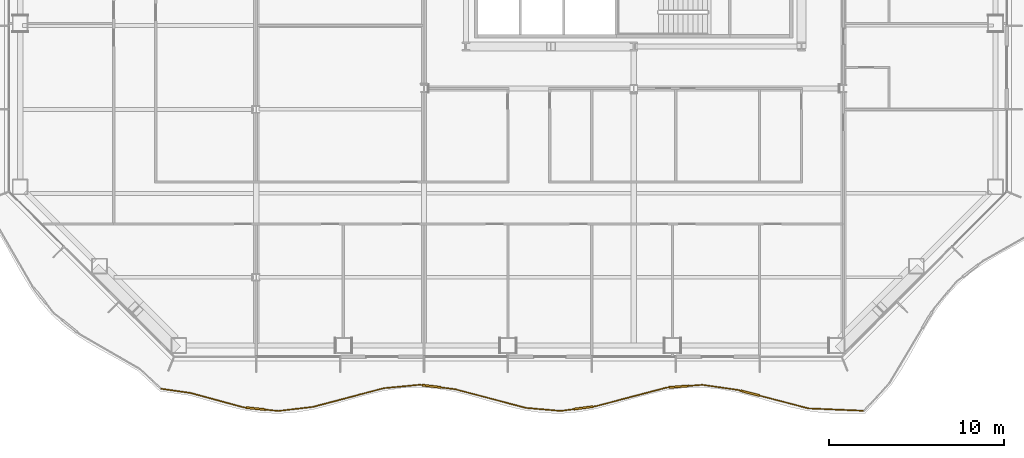
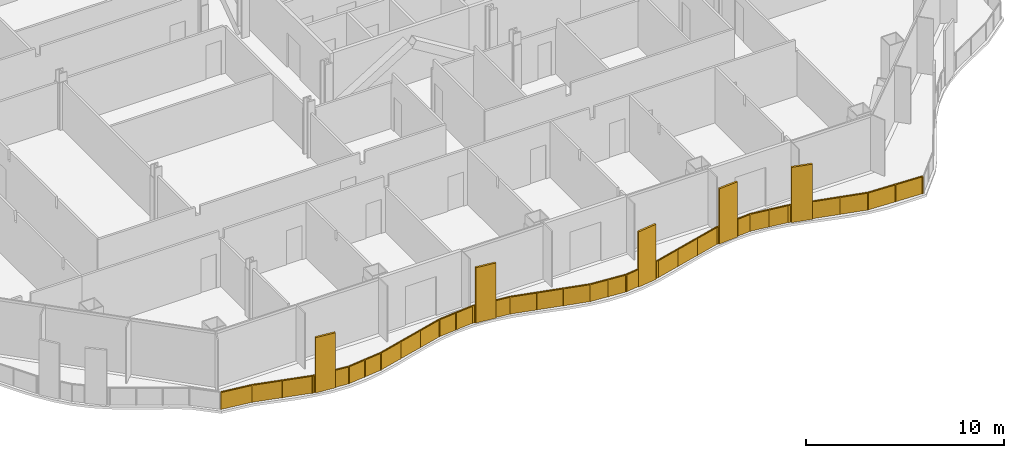
# One storey, part 16 of 21: 1 railing.
"""IFC4 building model written with IfcOpenShell, lengths in metres."""

from ifc_helpers import new_model, si_unit, direction, frame, origin, origin_2d, place, context, subcontext, project, spatial, polyline, rectangle, outline, extrude, material, type_object, element, save


model = new_model("IFC4")

# Units and contexts
model_context = context("Model", 3, precision=1e-05, world=origin(), true_north=direction((0.0, 1.0)))
body_context = subcontext(model_context, "Body", "Model", "MODEL_VIEW")
ifc_project = project(units=[si_unit("LENGTHUNIT", "METRE"), si_unit("AREAUNIT", "SQUARE_METRE"), si_unit("VOLUMEUNIT", "CUBIC_METRE"), si_unit("PLANEANGLEUNIT", "RADIAN"), si_unit("MASSUNIT", "GRAM", prefix="KILO")], contexts=[model_context])

# Site, building, storey
site_placement = place(None, origin())
site = spatial("IfcSite", under=ifc_project, at=site_placement, CompositionType="ELEMENT")
building_placement = place(site_placement, origin())
building = spatial("IfcBuilding", under=site, at=building_placement, Name="Cairn Pilgrim Tower", CompositionType="ELEMENT")
storey_placement = place(building_placement, frame((0.0, 0.0, 69.0)))
storey = spatial("IfcBuildingStorey", under=building, at=storey_placement, Name="L15", CompositionType="ELEMENT", Elevation=69.0)

# Railing
ifc_material = material(Name="Bronze anodised aluminium rail, posts and fin screens with laminated glass infill", Category="aluminium")
railing_type = type_object("IfcRailingType", Name="BALCONY GUARD WITH FIN SCREENS", PredefinedType="GUARDRAIL", material=ifc_material)
railing_placement = place(storey_placement, frame((-19.844482421875, -25.577880859375, 0.0)))
element("IfcRailing", 1, at=railing_placement, inside=storey, type_object=railing_type, Name="Balcony guard BGF-1 with fin screens", PredefinedType="GUARDRAIL", context=body_context, shape_type="SweptSolid", body=[
    extrude(rectangle(XDim=0.050048828125, YDim=0.050048828125, at=origin_2d()), frame((0.0, 0.0, 1.0751953125), z_axis=(0.989952361638, -0.141401278948, 0.0), x_axis=(0.141401278948, 0.989952361638, 0.0)), (0.0, 0.0, 1.0), 1.702392578125),
    extrude(rectangle(XDim=0.050048828125, YDim=0.050048828125, at=origin_2d()), frame((1.685302734375, -0.24072265625, 1.0751953125), z_axis=(0.965048678895, -0.262070691536, 0.0), x_axis=(0.262070691536, 0.965048678895, 0.0)), (0.0, 0.0, 1.0), 3.138427734375),
    extrude(rectangle(XDim=1.10009765625, YDim=0.110107421875, at=origin_2d()), frame((5.410400390625, -1.1357421875, 0.0), z_axis=(0.0, 0.0, 1.0), x_axis=(0.994607152388, -0.103714089778, 0.0)), (0.0, 0.0, 1.0), 3.39990234375),
    extrude(rectangle(XDim=0.050048828125, YDim=0.050048828125, at=origin_2d()), frame((4.714111328125, -1.063232421875, 1.0751953125), z_axis=(0.994607152388, -0.103714089778, 0.0), x_axis=(0.103714089778, 0.994607152388, 0.0)), (0.0, 0.0, 1.0), 0.14990234375),
    extrude(rectangle(XDim=0.050048828125, YDim=0.050048828125, at=origin_2d()), frame((5.957275390625, -1.19287109375, 1.0751953125), z_axis=(0.994607152388, -0.103714089778, 0.0), x_axis=(0.103714089778, 0.994607152388, 0.0)), (0.0, 0.0, 1.0), 0.753173828125),
    extrude(rectangle(XDim=0.050048828125, YDim=0.050048828125, at=origin_2d()), frame((6.70654296875, -1.27099609375, 1.0751953125), z_axis=(0.99317796676, 0.1166084317, 0.0), x_axis=(-0.1166084317, 0.99317796676, 0.0)), (0.0, 0.0, 1.0), 2.0078125),
    extrude(rectangle(XDim=0.050048828125, YDim=0.050048828125, at=origin_2d()), frame((8.70068359375, -1.036865234375, 1.0751953125), z_axis=(0.966796474004, 0.255547603888, 0.0), x_axis=(-0.255547603888, 0.966796474004, 0.0)), (0.0, 0.0, 1.0), 4.1826171875),
    extrude(rectangle(XDim=0.050048828125, YDim=0.050048828125, at=origin_2d()), frame((12.744384765625, 0.031982421875, 1.0751953125), z_axis=(0.995480005826, 0.094971353581, 0.0), x_axis=(-0.094971353581, 0.995480005826, 0.0)), (0.0, 0.0, 1.0), 2.05908203125),
    extrude(rectangle(XDim=1.10009765625, YDim=0.110107421875, at=origin_2d()), frame((15.488525390625, 0.14013671875, 0.0), z_axis=(0.0, 0.0, 1.0), x_axis=(0.992149942134, -0.125053957648, 0.0)), (0.0, 0.0, 1.0), 3.39990234375),
    extrude(rectangle(XDim=0.050048828125, YDim=0.050048828125, at=origin_2d()), frame((14.794189453125, 0.2275390625, 1.0751953125), z_axis=(0.992149942134, -0.125053957648, 0.0), x_axis=(0.125053957648, 0.992149942134, 0.0)), (0.0, 0.0, 1.0), 0.14990234375),
    extrude(rectangle(XDim=0.050048828125, YDim=0.050048828125, at=origin_2d()), frame((16.0341796875, 0.0712890625, 1.0751953125), z_axis=(0.992149942134, -0.125053957648, 0.0), x_axis=(0.125053957648, 0.992149942134, 0.0)), (0.0, 0.0, 1.0), 0.813720703125),
    extrude(rectangle(XDim=0.050048828125, YDim=0.050048828125, at=origin_2d()), frame((16.841552734375, -0.030517578125, 1.0751953125), z_axis=(0.966915375466, -0.255097347471, 0.0), x_axis=(0.255097347471, 0.966915375466, 0.0)), (0.0, 0.0, 1.0), 4.177490234375),
    extrude(rectangle(XDim=0.050048828125, YDim=0.050048828125, at=origin_2d()), frame((20.880859375, -1.09619140625, 1.0751953125), z_axis=(0.996297197599, -0.085976124922, 0.0), x_axis=(0.085976124922, 0.996297197599, 0.0)), (0.0, 0.0, 1.0), 1.9990234375),
    extrude(rectangle(XDim=1.10009765625, YDim=0.110107421875, at=origin_2d()), frame((24.174072265625, -1.09326171875, 0.0), z_axis=(0.0, 0.0, 1.0), x_axis=(0.99109608541, 0.133148599263, 0.0)), (0.0, 0.0, 1.0), 3.39990234375),
    extrude(rectangle(XDim=0.050048828125, YDim=0.050048828125, at=origin_2d()), frame((22.87255859375, -1.26806640625, 1.0751953125), z_axis=(0.99109608541, 0.133148599263, 0.0), x_axis=(-0.133148599263, 0.99109608541, 0.0)), (0.0, 0.0, 1.0), 0.76318359375),
    extrude(rectangle(XDim=0.050048828125, YDim=0.050048828125, at=origin_2d()), frame((24.71923828125, -1.02001953125, 1.0751953125), z_axis=(0.99109608541, 0.133148599263, 0.0), x_axis=(-0.133148599263, 0.99109608541, 0.0)), (0.0, 0.0, 1.0), 0.150146484375),
    extrude(rectangle(XDim=0.050048828125, YDim=0.050048828125, at=origin_2d()), frame((24.867919921875, -1.0, 1.0751953125), z_axis=(0.967093431473, 0.25442149045, 0.0), x_axis=(-0.25442149045, 0.967093431473, 0.0)), (0.0, 0.0, 1.0), 4.183837890625),
    extrude(rectangle(XDim=1.10009765625, YDim=0.110107421875, at=origin_2d()), frame((29.612060546875, 0.118408203125, 0.0), z_axis=(0.0, 0.0, 1.0), x_axis=(0.997029299771, 0.077023213374, 0.0)), (0.0, 0.0, 1.0), 3.39990234375),
    extrude(rectangle(XDim=0.050048828125, YDim=0.050048828125, at=origin_2d()), frame((28.9140625, 0.064453125, 1.0751953125), z_axis=(0.997029299771, 0.077023213374, 0.0), x_axis=(-0.077023213374, 0.997029299771, 0.0)), (0.0, 0.0, 1.0), 0.150146484375),
    extrude(rectangle(XDim=0.050048828125, YDim=0.050048828125, at=origin_2d()), frame((30.160400390625, 0.16064453125, 1.0751953125), z_axis=(0.997029299771, 0.077023213374, 0.0), x_axis=(-0.077023213374, 0.997029299771, 0.0)), (0.0, 0.0, 1.0), 0.80712890625),
    extrude(rectangle(XDim=0.050048828125, YDim=0.050048828125, at=origin_2d()), frame((30.965087890625, 0.222900390625, 1.0751953125), z_axis=(0.989968386364, -0.141289044164, 0.0), x_axis=(0.141289044164, 0.989968386364, 0.0)), (0.0, 0.0, 1.0), 2.066650390625),
    extrude(rectangle(XDim=1.10009765625, YDim=0.110107421875, at=origin_2d()), frame((33.7001953125, -0.24951171875, 0.0), z_axis=(0.0, 0.0, 1.0), x_axis=(0.967365050056, -0.253386779312, 0.0)), (0.0, 0.0, 1.0), 3.39990234375),
    extrude(rectangle(XDim=0.050048828125, YDim=0.050048828125, at=origin_2d()), frame((33.010986328125, -0.069091796875, 1.0751953125), z_axis=(0.967365050056, -0.253386779312, 0.0), x_axis=(0.253386779312, 0.967365050056, 0.0)), (0.0, 0.0, 1.0), 0.162353515625),
    extrude(rectangle(XDim=0.050048828125, YDim=0.050048828125, at=origin_2d()), frame((34.232177734375, -0.388916015625, 1.0751953125), z_axis=(0.967365050056, -0.253386779312, 0.0), x_axis=(0.253386779312, 0.967365050056, 0.0)), (0.0, 0.0, 1.0), 2.908447265625),
    extrude(rectangle(XDim=0.050048828125, YDim=0.050048828125, at=origin_2d()), frame((37.0458984375, -1.1259765625, 1.0751953125), z_axis=(0.999108327375, -0.042220257817, 0.0), x_axis=(0.042220257817, 0.999108327375, 0.0)), (0.0, 0.0, 1.0), 3.11669921875),
    extrude(rectangle(XDim=0.050048828125, YDim=0.050048828125, at=origin_2d()), origin(), (0.0, 0.0, 1.0), 1.050048828125),
    extrude(rectangle(XDim=0.050048828125, YDim=0.050048828125, at=origin_2d()), frame((1.685302734375, -0.24072265625, 0.0)), (0.0, 0.0, 1.0), 1.050048828125),
    extrude(rectangle(XDim=0.050048828125, YDim=0.050048828125, at=origin_2d()), frame((3.19970703125, -0.65185546875, 0.0)), (0.0, 0.0, 1.0), 1.050048828125),
    extrude(rectangle(XDim=0.050048828125, YDim=0.050048828125, at=origin_2d()), frame((4.714111328125, -1.063232421875, 0.0)), (0.0, 0.0, 1.0), 1.050048828125),
    extrude(rectangle(XDim=0.050048828125, YDim=0.050048828125, at=origin_2d()), frame((4.83837890625, -1.076171875, 0.0)), (0.0, 0.0, 1.0), 1.050048828125),
    extrude(rectangle(XDim=0.050048828125, YDim=0.050048828125, at=origin_2d()), frame((5.982177734375, -1.195556640625, 0.0)), (0.0, 0.0, 1.0), 1.050048828125),
    extrude(rectangle(XDim=0.050048828125, YDim=0.050048828125, at=origin_2d()), frame((6.70654296875, -1.27099609375, 0.0)), (0.0, 0.0, 1.0), 1.050048828125),
    extrude(rectangle(XDim=0.050048828125, YDim=0.050048828125, at=origin_2d()), frame((7.70361328125, -1.15380859375, 0.0)), (0.0, 0.0, 1.0), 1.050048828125),
    extrude(rectangle(XDim=0.050048828125, YDim=0.050048828125, at=origin_2d()), frame((8.70068359375, -1.036865234375, 0.0)), (0.0, 0.0, 1.0), 1.050048828125),
    extrude(rectangle(XDim=0.050048828125, YDim=0.050048828125, at=origin_2d()), frame((10.048583984375, -0.6806640625, 0.0)), (0.0, 0.0, 1.0), 1.050048828125),
    extrude(rectangle(XDim=0.050048828125, YDim=0.050048828125, at=origin_2d()), frame((11.396484375, -0.32421875, 0.0)), (0.0, 0.0, 1.0), 1.050048828125),
    extrude(rectangle(XDim=0.050048828125, YDim=0.050048828125, at=origin_2d()), frame((12.744384765625, 0.031982421875, 0.0)), (0.0, 0.0, 1.0), 1.050048828125),
    extrude(rectangle(XDim=0.050048828125, YDim=0.050048828125, at=origin_2d()), frame((13.769287109375, 0.1298828125, 0.0)), (0.0, 0.0, 1.0), 1.050048828125),
    extrude(rectangle(XDim=0.050048828125, YDim=0.050048828125, at=origin_2d()), frame((14.794189453125, 0.2275390625, 0.0)), (0.0, 0.0, 1.0), 1.050048828125),
    extrude(rectangle(XDim=0.050048828125, YDim=0.050048828125, at=origin_2d()), frame((14.91796875, 0.2119140625, 0.0)), (0.0, 0.0, 1.0), 1.050048828125),
    extrude(rectangle(XDim=0.050048828125, YDim=0.050048828125, at=origin_2d()), frame((16.05908203125, 0.068115234375, 0.0)), (0.0, 0.0, 1.0), 1.050048828125),
    extrude(rectangle(XDim=0.050048828125, YDim=0.050048828125, at=origin_2d()), frame((16.841552734375, -0.030517578125, 0.0)), (0.0, 0.0, 1.0), 1.050048828125),
    extrude(rectangle(XDim=0.050048828125, YDim=0.050048828125, at=origin_2d()), frame((18.18798828125, -0.3857421875, 0.0)), (0.0, 0.0, 1.0), 1.050048828125),
    extrude(rectangle(XDim=0.050048828125, YDim=0.050048828125, at=origin_2d()), frame((19.534423828125, -0.740966796875, 0.0)), (0.0, 0.0, 1.0), 1.050048828125),
    extrude(rectangle(XDim=0.050048828125, YDim=0.050048828125, at=origin_2d()), frame((20.880859375, -1.09619140625, 0.0)), (0.0, 0.0, 1.0), 1.050048828125),
    extrude(rectangle(XDim=0.050048828125, YDim=0.050048828125, at=origin_2d()), frame((21.876708984375, -1.18212890625, 0.0)), (0.0, 0.0, 1.0), 1.050048828125),
    extrude(rectangle(XDim=0.050048828125, YDim=0.050048828125, at=origin_2d()), frame((22.87255859375, -1.26806640625, 0.0)), (0.0, 0.0, 1.0), 1.050048828125),
    extrude(rectangle(XDim=0.050048828125, YDim=0.050048828125, at=origin_2d()), frame((23.604248046875, -1.169677734375, 0.0)), (0.0, 0.0, 1.0), 1.050048828125),
    extrude(rectangle(XDim=0.050048828125, YDim=0.050048828125, at=origin_2d()), frame((24.743896484375, -1.0166015625, 0.0)), (0.0, 0.0, 1.0), 1.050048828125),
    extrude(rectangle(XDim=0.050048828125, YDim=0.050048828125, at=origin_2d()), frame((24.867919921875, -1.0, 0.0)), (0.0, 0.0, 1.0), 1.050048828125),
    extrude(rectangle(XDim=0.050048828125, YDim=0.050048828125, at=origin_2d()), frame((26.216552734375, -0.645263671875, 0.0)), (0.0, 0.0, 1.0), 1.050048828125),
    extrude(rectangle(XDim=0.050048828125, YDim=0.050048828125, at=origin_2d()), frame((27.5654296875, -0.290283203125, 0.0)), (0.0, 0.0, 1.0), 1.050048828125),
    extrude(rectangle(XDim=0.050048828125, YDim=0.050048828125, at=origin_2d()), frame((28.9140625, 0.064453125, 0.0)), (0.0, 0.0, 1.0), 1.050048828125),
    extrude(rectangle(XDim=0.050048828125, YDim=0.050048828125, at=origin_2d()), frame((29.038818359375, 0.073974609375, 0.0)), (0.0, 0.0, 1.0), 1.050048828125),
    extrude(rectangle(XDim=0.050048828125, YDim=0.050048828125, at=origin_2d()), frame((30.185302734375, 0.16259765625, 0.0)), (0.0, 0.0, 1.0), 1.050048828125),
    extrude(rectangle(XDim=0.050048828125, YDim=0.050048828125, at=origin_2d()), frame((30.965087890625, 0.222900390625, 0.0)), (0.0, 0.0, 1.0), 1.050048828125),
    extrude(rectangle(XDim=0.050048828125, YDim=0.050048828125, at=origin_2d()), frame((31.988037109375, 0.076904296875, 0.0)), (0.0, 0.0, 1.0), 1.050048828125),
    extrude(rectangle(XDim=0.050048828125, YDim=0.050048828125, at=origin_2d()), frame((33.010986328125, -0.069091796875, 0.0)), (0.0, 0.0, 1.0), 1.050048828125),
    extrude(rectangle(XDim=0.050048828125, YDim=0.050048828125, at=origin_2d()), frame((33.14404296875, -0.10400390625, 0.0)), (0.0, 0.0, 1.0), 1.050048828125),
    extrude(rectangle(XDim=0.050048828125, YDim=0.050048828125, at=origin_2d()), frame((34.25634765625, -0.395263671875, 0.0)), (0.0, 0.0, 1.0), 1.050048828125),
    extrude(rectangle(XDim=0.050048828125, YDim=0.050048828125, at=origin_2d()), frame((35.651123046875, -0.7607421875, 0.0)), (0.0, 0.0, 1.0), 1.050048828125),
    extrude(rectangle(XDim=0.050048828125, YDim=0.050048828125, at=origin_2d()), frame((37.0458984375, -1.1259765625, 0.0)), (0.0, 0.0, 1.0), 1.050048828125),
    extrude(rectangle(XDim=0.050048828125, YDim=0.050048828125, at=origin_2d()), frame((38.60302734375, -1.19189453125, 0.0)), (0.0, 0.0, 1.0), 1.050048828125),
    extrude(rectangle(XDim=0.050048828125, YDim=0.050048828125, at=origin_2d()), frame((40.159912109375, -1.257568359375, 0.0)), (0.0, 0.0, 1.0), 1.050048828125),
    extrude(outline(polyline([(0.02490234375, 0.0), (1.677490234375, 0.0), (1.677490234375, 1.050048828125), (0.02490234375, 1.050048828125), (0.02490234375, 0.0)])), frame((0.000732421875, 0.005859375, 0.0), z_axis=(-0.141401278948, -0.989952361638, 0.0), x_axis=(0.989952361638, -0.141401278948, 0.0)), (0.0, 0.0, 1.0), 0.011962890625),
    extrude(outline(polyline([(0.02490234375, 0.0), (1.544189453125, 0.0), (1.544189453125, 1.050048828125), (0.02490234375, 1.050048828125), (0.02490234375, 0.0)])), frame((1.686767578125, -0.23486328125, 0.0), z_axis=(-0.262070691536, -0.965048678895, 0.0), x_axis=(0.965048678895, -0.262070691536, 0.0)), (0.0, 0.0, 1.0), 0.011962890625),
    extrude(outline(polyline([(0.02490234375, 0.0), (1.544189453125, 0.0), (1.544189453125, 1.050048828125), (0.02490234375, 1.050048828125), (0.02490234375, 0.0)])), frame((3.201171875, -0.646240234375, 0.0), z_axis=(-0.262070691536, -0.965048678895, 0.0), x_axis=(0.965048678895, -0.262070691536, 0.0)), (0.0, 0.0, 1.0), 0.011962890625),
    extrude(outline(polyline([(0.02490234375, 0.0), (0.099853515625, 0.0), (0.099853515625, 1.050048828125), (0.02490234375, 1.050048828125), (0.02490234375, 0.0)])), frame((4.71484375, -1.057373046875, 0.0), z_axis=(-0.103714089778, -0.994607152388, 0.0), x_axis=(0.994607152388, -0.103714089778, 0.0)), (0.0, 0.0, 1.0), 0.011962890625),
    extrude(outline(polyline([(0.02490234375, 0.0), (0.703125, 0.0), (0.703125, 1.050048828125), (0.02490234375, 1.050048828125), (0.02490234375, 0.0)])), frame((5.98291015625, -1.189453125, 0.0), z_axis=(-0.103714089778, -0.994607152388, 0.0), x_axis=(0.994607152388, -0.103714089778, 0.0)), (0.0, 0.0, 1.0), 0.011962890625),
    extrude(outline(polyline([(0.02490234375, 0.0), (0.97900390625, 0.0), (0.97900390625, 1.050048828125), (0.02490234375, 1.050048828125), (0.02490234375, 0.0)])), frame((6.705810546875, -1.26513671875, 0.0), z_axis=(0.1166084317, -0.99317796676, 0.0), x_axis=(0.99317796676, 0.1166084317, 0.0)), (0.0, 0.0, 1.0), 0.011962890625),
    extrude(outline(polyline([(0.02490234375, 0.0), (0.97900390625, 0.0), (0.97900390625, 1.050048828125), (0.02490234375, 1.050048828125), (0.02490234375, 0.0)])), frame((7.702880859375, -1.14794921875, 0.0), z_axis=(0.1166084317, -0.99317796676, 0.0), x_axis=(0.99317796676, 0.1166084317, 0.0)), (0.0, 0.0, 1.0), 0.011962890625),
    extrude(outline(polyline([(0.02490234375, 0.0), (1.369140625, 0.0), (1.369140625, 1.050048828125), (0.02490234375, 1.050048828125), (0.02490234375, 0.0)])), frame((8.69921875, -1.031005859375, 0.0), z_axis=(0.255547603888, -0.966796474004, 0.0), x_axis=(0.966796474004, 0.255547603888, 0.0)), (0.0, 0.0, 1.0), 0.011962890625),
    extrude(outline(polyline([(0.02490234375, 0.0), (1.369140625, 0.0), (1.369140625, 1.050048828125), (0.02490234375, 1.050048828125), (0.02490234375, 0.0)])), frame((10.047119140625, -0.6748046875, 0.0), z_axis=(0.255547603888, -0.966796474004, 0.0), x_axis=(0.966796474004, 0.255547603888, 0.0)), (0.0, 0.0, 1.0), 0.011962890625),
    extrude(outline(polyline([(0.02490234375, 0.0), (1.369140625, 0.0), (1.369140625, 1.050048828125), (0.02490234375, 1.050048828125), (0.02490234375, 0.0)])), frame((11.39501953125, -0.318603515625, 0.0), z_axis=(0.255547603888, -0.966796474004, 0.0), x_axis=(0.966796474004, 0.255547603888, 0.0)), (0.0, 0.0, 1.0), 0.011962890625),
    extrude(outline(polyline([(0.02490234375, 0.0), (1.004638671875, 0.0), (1.004638671875, 1.050048828125), (0.02490234375, 1.050048828125), (0.02490234375, 0.0)])), frame((12.743896484375, 0.037841796875, 0.0), z_axis=(0.094971353581, -0.995480005826, 0.0), x_axis=(0.995480005826, 0.094971353581, 0.0)), (0.0, 0.0, 1.0), 0.011962890625),
    extrude(outline(polyline([(0.02490234375, 0.0), (1.004638671875, 0.0), (1.004638671875, 1.050048828125), (0.02490234375, 1.050048828125), (0.02490234375, 0.0)])), frame((13.768798828125, 0.1357421875, 0.0), z_axis=(0.094971353581, -0.995480005826, 0.0), x_axis=(0.995480005826, 0.094971353581, 0.0)), (0.0, 0.0, 1.0), 0.011962890625),
    extrude(outline(polyline([(0.02490234375, 0.0), (0.099853515625, 0.0), (0.099853515625, 1.050048828125), (0.02490234375, 1.050048828125), (0.02490234375, 0.0)])), frame((14.794921875, 0.2333984375, 0.0), z_axis=(-0.125053957648, -0.992149942134, 0.0), x_axis=(0.992149942134, -0.125053957648, 0.0)), (0.0, 0.0, 1.0), 0.011962890625),
    extrude(outline(polyline([(0.02490234375, 0.0), (0.763671875, 0.0), (0.763671875, 1.050048828125), (0.02490234375, 1.050048828125), (0.02490234375, 0.0)])), frame((16.059814453125, 0.073974609375, 0.0), z_axis=(-0.125053957648, -0.992149942134, 0.0), x_axis=(0.992149942134, -0.125053957648, 0.0)), (0.0, 0.0, 1.0), 0.011962890625),
    extrude(outline(polyline([(0.02490234375, 0.0), (1.367431640625, 0.0), (1.367431640625, 1.050048828125), (0.02490234375, 1.050048828125), (0.02490234375, 0.0)])), frame((16.843017578125, -0.024658203125, 0.0), z_axis=(-0.255097347471, -0.966915375466, 0.0), x_axis=(0.966915375466, -0.255097347471, 0.0)), (0.0, 0.0, 1.0), 0.011962890625),
    extrude(outline(polyline([(0.02490234375, 0.0), (1.367431640625, 0.0), (1.367431640625, 1.050048828125), (0.02490234375, 1.050048828125), (0.02490234375, 0.0)])), frame((18.189453125, -0.3798828125, 0.0), z_axis=(-0.255097347471, -0.966915375466, 0.0), x_axis=(0.966915375466, -0.255097347471, 0.0)), (0.0, 0.0, 1.0), 0.011962890625),
    extrude(outline(polyline([(0.02490234375, 0.0), (1.367431640625, 0.0), (1.367431640625, 1.050048828125), (0.02490234375, 1.050048828125), (0.02490234375, 0.0)])), frame((19.535888671875, -0.735107421875, 0.0), z_axis=(-0.255097347471, -0.966915375466, 0.0), x_axis=(0.966915375466, -0.255097347471, 0.0)), (0.0, 0.0, 1.0), 0.011962890625),
    extrude(outline(polyline([(0.02490234375, 0.0), (0.974609375, 0.0), (0.974609375, 1.050048828125), (0.02490234375, 1.050048828125), (0.02490234375, 0.0)])), frame((20.88134765625, -1.09033203125, 0.0), z_axis=(-0.085976124922, -0.996297197599, 0.0), x_axis=(0.996297197599, -0.085976124922, 0.0)), (0.0, 0.0, 1.0), 0.011962890625),
    extrude(outline(polyline([(0.02490234375, 0.0), (0.974609375, 0.0), (0.974609375, 1.050048828125), (0.02490234375, 1.050048828125), (0.02490234375, 0.0)])), frame((21.877197265625, -1.17626953125, 0.0), z_axis=(-0.085976124922, -0.996297197599, 0.0), x_axis=(0.996297197599, -0.085976124922, 0.0)), (0.0, 0.0, 1.0), 0.011962890625),
    extrude(outline(polyline([(0.02490234375, 0.0), (0.713134765625, 0.0), (0.713134765625, 1.050048828125), (0.02490234375, 1.050048828125), (0.02490234375, 0.0)])), frame((22.871826171875, -1.26220703125, 0.0), z_axis=(0.133148599263, -0.99109608541, 0.0), x_axis=(0.99109608541, 0.133148599263, 0.0)), (0.0, 0.0, 1.0), 0.011962890625),
    extrude(outline(polyline([(0.02490234375, 0.0), (0.10009765625, 0.0), (0.10009765625, 1.050048828125), (0.02490234375, 1.050048828125), (0.02490234375, 0.0)])), frame((24.7431640625, -1.0107421875, 0.0), z_axis=(0.133148599263, -0.99109608541, 0.0), x_axis=(0.99109608541, 0.133148599263, 0.0)), (0.0, 0.0, 1.0), 0.011962890625),
    extrude(outline(polyline([(0.02490234375, 0.0), (1.36962890625, 0.0), (1.36962890625, 1.050048828125), (0.02490234375, 1.050048828125), (0.02490234375, 0.0)])), frame((24.866455078125, -0.994140625, 0.0), z_axis=(0.25442149045, -0.967093431473, 0.0), x_axis=(0.967093431473, 0.25442149045, 0.0)), (0.0, 0.0, 1.0), 0.011962890625),
    extrude(outline(polyline([(0.02490234375, 0.0), (1.36962890625, 0.0), (1.36962890625, 1.050048828125), (0.02490234375, 1.050048828125), (0.02490234375, 0.0)])), frame((26.215087890625, -0.639404296875, 0.0), z_axis=(0.25442149045, -0.967093431473, 0.0), x_axis=(0.967093431473, 0.25442149045, 0.0)), (0.0, 0.0, 1.0), 0.011962890625),
    extrude(outline(polyline([(0.02490234375, 0.0), (1.36962890625, 0.0), (1.36962890625, 1.050048828125), (0.02490234375, 1.050048828125), (0.02490234375, 0.0)])), frame((27.563720703125, -0.28466796875, 0.0), z_axis=(0.25442149045, -0.967093431473, 0.0), x_axis=(0.967093431473, 0.25442149045, 0.0)), (0.0, 0.0, 1.0), 0.011962890625),
    extrude(outline(polyline([(0.02490234375, 0.0), (0.10009765625, 0.0), (0.10009765625, 1.050048828125), (0.02490234375, 1.050048828125), (0.02490234375, 0.0)])), frame((28.91357421875, 0.0703125, 0.0), z_axis=(0.077023213374, -0.997029299771, 0.0), x_axis=(0.997029299771, 0.077023213374, 0.0)), (0.0, 0.0, 1.0), 0.011962890625),
    extrude(outline(polyline([(0.02490234375, 0.0), (0.757080078125, 0.0), (0.757080078125, 1.050048828125), (0.02490234375, 1.050048828125), (0.02490234375, 0.0)])), frame((30.184814453125, 0.168701171875, 0.0), z_axis=(0.077023213374, -0.997029299771, 0.0), x_axis=(0.997029299771, 0.077023213374, 0.0)), (0.0, 0.0, 1.0), 0.011962890625),
    extrude(outline(polyline([(0.02490234375, 0.0), (1.00830078125, 0.0), (1.00830078125, 1.050048828125), (0.02490234375, 1.050048828125), (0.02490234375, 0.0)])), frame((30.9658203125, 0.228759765625, 0.0), z_axis=(-0.141289044164, -0.989968386364, 0.0), x_axis=(0.989968386364, -0.141289044164, 0.0)), (0.0, 0.0, 1.0), 0.011962890625),
    extrude(outline(polyline([(0.02490234375, 0.0), (1.00830078125, 0.0), (1.00830078125, 1.050048828125), (0.02490234375, 1.050048828125), (0.02490234375, 0.0)])), frame((31.98876953125, 0.082763671875, 0.0), z_axis=(-0.141289044164, -0.989968386364, 0.0), x_axis=(0.989968386364, -0.141289044164, 0.0)), (0.0, 0.0, 1.0), 0.011962890625),
    extrude(outline(polyline([(0.02490234375, 0.0), (0.1123046875, 0.0), (0.1123046875, 1.050048828125), (0.02490234375, 1.050048828125), (0.02490234375, 0.0)])), frame((33.012451171875, -0.063232421875, 0.0), z_axis=(-0.253386779312, -0.967365050056, 0.0), x_axis=(0.967365050056, -0.253386779312, 0.0)), (0.0, 0.0, 1.0), 0.011962890625),
    extrude(outline(polyline([(0.02490234375, 0.0), (1.416748046875, 0.0), (1.416748046875, 1.050048828125), (0.02490234375, 1.050048828125), (0.02490234375, 0.0)])), frame((34.258056640625, -0.3896484375, 0.0), z_axis=(-0.253386779312, -0.967365050056, 0.0), x_axis=(0.967365050056, -0.253386779312, 0.0)), (0.0, 0.0, 1.0), 0.011962890625),
    extrude(outline(polyline([(0.02490234375, 0.0), (1.416748046875, 0.0), (1.416748046875, 1.050048828125), (0.02490234375, 1.050048828125), (0.02490234375, 0.0)])), frame((35.652587890625, -0.7548828125, 0.0), z_axis=(-0.253386779312, -0.967365050056, 0.0), x_axis=(0.967365050056, -0.253386779312, 0.0)), (0.0, 0.0, 1.0), 0.011962890625),
    extrude(outline(polyline([(0.02490234375, 0.0), (1.533447265625, 0.0), (1.533447265625, 1.050048828125), (0.02490234375, 1.050048828125), (0.02490234375, 0.0)])), frame((37.046142578125, -1.1201171875, 0.0), z_axis=(-0.042220257817, -0.999108327375, 0.0), x_axis=(0.999108327375, -0.042220257817, 0.0)), (0.0, 0.0, 1.0), 0.011962890625),
    extrude(outline(polyline([(0.02490234375, 0.0), (1.533447265625, 0.0), (1.533447265625, 1.050048828125), (0.02490234375, 1.050048828125), (0.02490234375, 0.0)])), frame((38.603271484375, -1.185791015625, 0.0), z_axis=(-0.042220257817, -0.999108327375, 0.0), x_axis=(0.999108327375, -0.042220257817, 0.0)), (0.0, 0.0, 1.0), 0.011962890625),
])

save(model, "model.ifc")
